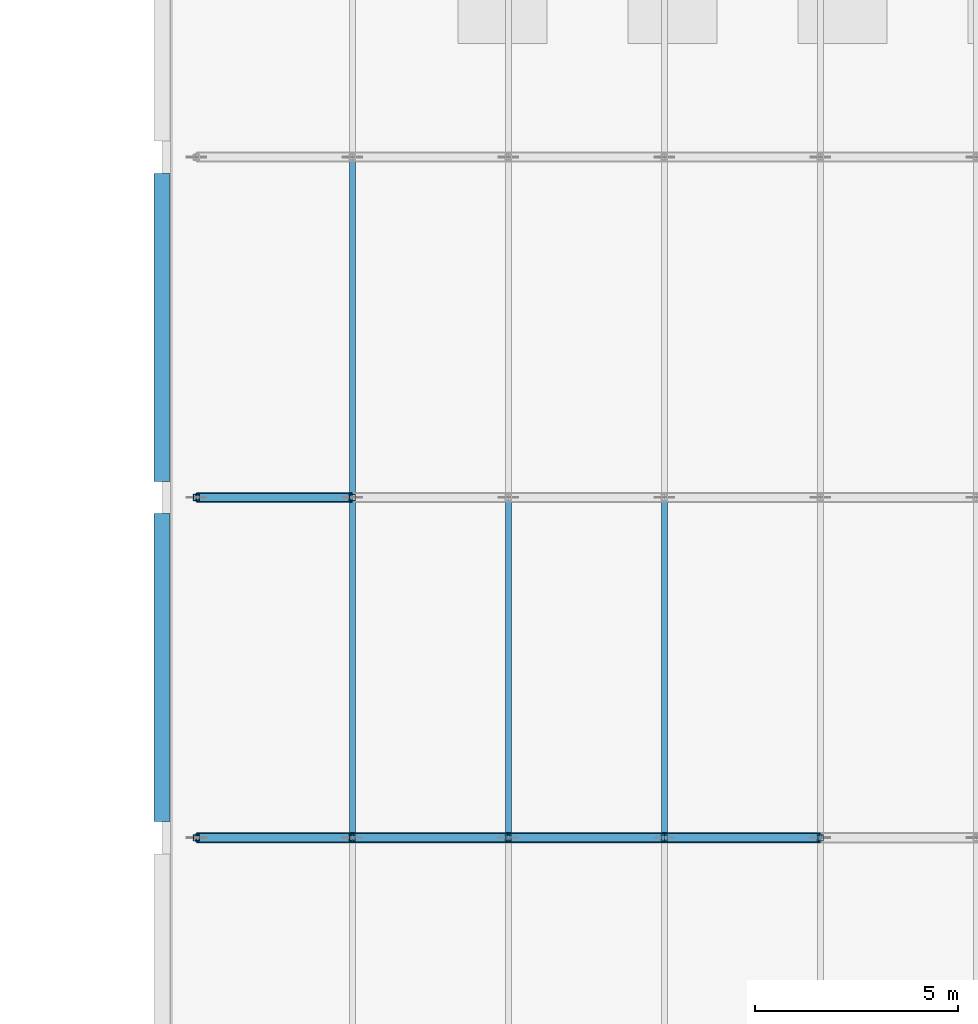
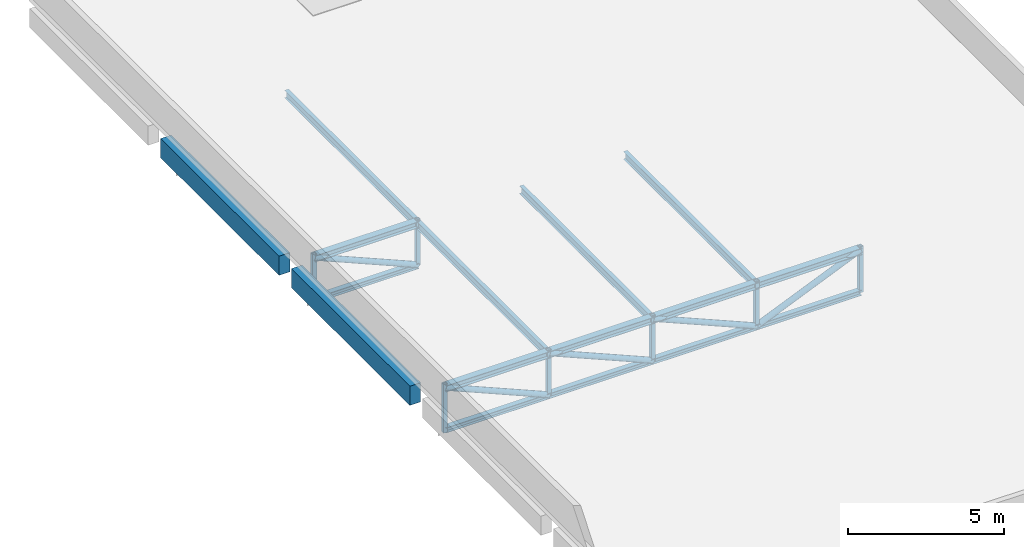
# One storey, part 16 of 38: 26 members, 2 beams.
"""IFC4 building model written with IfcOpenShell, lengths in metres."""

from ifc_helpers import new_model, si_unit, direction, frame, origin, origin_2d, place, context, subcontext, project, spatial, rectangle, hollow_rectangle, hollow_circle, i_section, extrude, material, material_profile, profile_set, type_object, element, save


model = new_model("IFC4")

# Units and contexts
model_context = context("Model", 3, precision=1e-05, world=origin(), true_north=direction((0.0, 1.0)))
body_context = subcontext(model_context, "Body", "Model", "MODEL_VIEW")
ifc_project = project(units=[si_unit("LENGTHUNIT", "METRE"), si_unit("AREAUNIT", "SQUARE_METRE"), si_unit("VOLUMEUNIT", "CUBIC_METRE"), si_unit("PLANEANGLEUNIT", "RADIAN"), si_unit("MASSUNIT", "GRAM", prefix="KILO")], contexts=[model_context])

# Site, building, storey
site_placement = place(None, origin())
site = spatial("IfcSite", under=ifc_project, at=site_placement, CompositionType="ELEMENT")
building_placement = place(site_placement, origin())
building = spatial("IfcBuilding", under=site, at=building_placement, Name="Brinegate Botanical Conservatory", CompositionType="ELEMENT")
storey_placement = place(building_placement, frame((0.0, 0.0, 10.199951171875)))
storey = spatial("IfcBuildingStorey", under=building, at=storey_placement, Name="L03", CompositionType="ELEMENT", Elevation=10.199951171875)

# Beams
ifc_material_1 = material(Name="Concrete C50/60", Category="concrete")
ifc_material_profile_1 = material_profile(ifc_material_1, rectangle(XDim=0.39990234375, YDim=0.75, at=origin_2d()), Name="RC BM 400x750")
ifc_profile_set_1 = profile_set([ifc_material_profile_1], Name="Concrete C50/60")
beam_type = type_object("IfcBeamType", Name="Beam_BM-T1", PredefinedType="BEAM", material=ifc_profile_set_1)
beam_1_placement = place(storey_placement, frame((138.800048828125, 17.199951171875, -0.574951171875), z_axis=(0.0, 1.0, 0.0), x_axis=(-1.0, 0.0, 0.0)))
element("IfcBeam", 1, at=beam_1_placement, inside=storey, type_object=beam_type, Name="Beam BM-T1 L03 18:C-D", PredefinedType="BEAM", context=body_context, shape_type="SweptSolid", body=[
    extrude(rectangle(XDim=0.39990234375, YDim=0.75, at=origin_2d()), origin(), (0.0, 0.0, 1.0), 7.60009765625),
])
beam_2_placement = place(storey_placement, frame((138.800048828125, 25.60009765625, -0.574951171875), z_axis=(0.0, 1.0, 0.0), x_axis=(-1.0, 0.0, 0.0)))
element("IfcBeam", 2, at=beam_2_placement, inside=storey, type_object=beam_type, Name="Beam BM-T1 L03 18:D-E", PredefinedType="BEAM", context=body_context, shape_type="SweptSolid", body=[
    extrude(rectangle(XDim=0.39990234375, YDim=0.75, at=origin_2d()), origin(), (0.0, 0.0, 1.0), 7.599853515625),
])

# Members
ifc_material_2 = material(Name="Structural steel Q355B / S355", Category="steel")
ifc_material_profile_2 = material_profile(ifc_material_2, hollow_circle(Radius=0.109619140625, WallThickness=0.010009765625, at=origin_2d()), Name="CHS 219x10")
ifc_profile_set_2 = profile_set([ifc_material_profile_2], Name="Structural steel Q355B / S355")
member_type_1 = type_object("IfcMemberType", Name="Member_TB-01", PredefinedType="BRACE", material=ifc_profile_set_2)
for number, where, z_axis, x_axis, name in (
    (3, (139.64990234375, 16.800048828125, -0.35986328125), (0.919999828954, 0.0, -0.391918760362), (0.0, 1.0, 0.0), "Auditorium roof truss 2 web diagonal 1"),
    (4, (143.5, 16.800048828125, -0.35986328125), (0.919999828954, 0.0, -0.391918760362), (0.0, 1.0, 0.0), "Auditorium roof truss 2 web diagonal 2"),
):
    element("IfcMember", number, at=place(storey_placement, frame(where, z_axis=z_axis, x_axis=x_axis)), inside=storey, type_object=member_type_1, Name=name, PredefinedType="BRACE", context=body_context, shape_type="SweptSolid", body=[
        extrude(hollow_circle(Radius=0.109619140625, WallThickness=0.010009765625, at=origin_2d()), origin(), (0.0, 0.0, 1.0), 4.184814453125),
    ])
member_1_placement = place(storey_placement, frame((147.35009765625, 16.800048828125, -0.35986328125), z_axis=(0.919990867405, 0.0, -0.39193979626), x_axis=(0.0, 1.0, 0.0)))
element("IfcMember", 5, at=member_1_placement, inside=storey, type_object=member_type_1, Name="Auditorium roof truss 2 web diagonal 3", PredefinedType="BRACE", context=body_context, shape_type="SweptSolid", body=[
    extrude(hollow_circle(Radius=0.109619140625, WallThickness=0.010009765625, at=origin_2d()), origin(), (0.0, 0.0, 1.0), 4.1845703125),
])
for number, where, z_axis, x_axis, name in (
    (6, (151.199951171875, 16.800048828125, -2.0), (0.919999828954, 0.0, 0.391918760362), (0.0, 1.0, 0.0), "Auditorium roof truss 2 web diagonal 4"),
    (7, (139.64990234375, 25.199951171875, -0.35986328125), (0.919999828954, 0.0, -0.391918760362), (0.0, 1.0, 0.0), "Auditorium roof truss 3 web diagonal 1"),
):
    element("IfcMember", number, at=place(storey_placement, frame(where, z_axis=z_axis, x_axis=x_axis)), inside=storey, type_object=member_type_1, Name=name, PredefinedType="BRACE", context=body_context, shape_type="SweptSolid", body=[
        extrude(hollow_circle(Radius=0.109619140625, WallThickness=0.010009765625, at=origin_2d()), origin(), (0.0, 0.0, 1.0), 4.184814453125),
    ])
ifc_material_profile_3 = material_profile(ifc_material_2, i_section(OverallWidth=0.25, OverallDepth=0.25, WebThickness=0.009033203125, FlangeThickness=0.013916015625, at=origin_2d()), Name="HW 250x250x9x14")
ifc_profile_set_3 = profile_set([ifc_material_profile_3], Name="Structural steel Q355B / S355")
member_type_2 = type_object("IfcMemberType", Name="Member_TC-01", PredefinedType="CHORD", material=ifc_profile_set_3)
for number, where, z_axis, x_axis, name in (
    (8, (139.64990234375, 16.800048828125, -0.35986328125), (1.0, 0.0, 0.0), (0.0, 1.0, 0.0), "Auditorium roof truss 2 top chord 1"),
    (9, (143.5, 16.800048828125, -0.35986328125), (1.0, 0.0, 0.0), (0.0, 1.0, 0.0), "Auditorium roof truss 2 top chord 2"),
):
    element("IfcMember", number, at=place(storey_placement, frame(where, z_axis=z_axis, x_axis=x_axis)), inside=storey, type_object=member_type_2, Name=name, PredefinedType="CHORD", context=body_context, shape_type="SweptSolid", body=[
        extrude(i_section(OverallWidth=0.25, OverallDepth=0.25, WebThickness=0.009033203125, FlangeThickness=0.013916015625, at=origin_2d()), origin(), (0.0, 0.0, 1.0), 3.85009765625),
    ])
member_2_placement = place(storey_placement, frame((147.35009765625, 16.800048828125, -0.35986328125), z_axis=(1.0, 0.0, 0.0), x_axis=(0.0, 1.0, 0.0)))
element("IfcMember", 10, at=member_2_placement, inside=storey, type_object=member_type_2, Name="Auditorium roof truss 2 top chord 3", PredefinedType="CHORD", context=body_context, shape_type="SweptSolid", body=[
    extrude(i_section(OverallWidth=0.25, OverallDepth=0.25, WebThickness=0.009033203125, FlangeThickness=0.013916015625, at=origin_2d()), origin(), (0.0, 0.0, 1.0), 3.849853515625),
])
for number, where, z_axis, x_axis, name in (
    (11, (151.199951171875, 16.800048828125, -0.35986328125), (1.0, 0.0, 0.0), (0.0, 1.0, 0.0), "Auditorium roof truss 2 top chord 4"),
    (12, (139.64990234375, 25.199951171875, -0.35986328125), (1.0, 0.0, 0.0), (0.0, 1.0, 0.0), "Auditorium roof truss 3 top chord 1"),
):
    element("IfcMember", number, at=place(storey_placement, frame(where, z_axis=z_axis, x_axis=x_axis)), inside=storey, type_object=member_type_2, Name=name, PredefinedType="CHORD", context=body_context, shape_type="SweptSolid", body=[
        extrude(i_section(OverallWidth=0.25, OverallDepth=0.25, WebThickness=0.009033203125, FlangeThickness=0.013916015625, at=origin_2d()), origin(), (0.0, 0.0, 1.0), 3.85009765625),
    ])
ifc_material_profile_4 = material_profile(ifc_material_2, i_section(OverallWidth=0.199951171875, OverallDepth=0.199951171875, WebThickness=0.008056640625, FlangeThickness=0.011962890625, at=origin_2d()), Name="HW 200x200x8x12")
ifc_profile_set_4 = profile_set([ifc_material_profile_4], Name="Structural steel Q355B / S355")
member_type_3 = type_object("IfcMemberType", Name="Member_TC-02", PredefinedType="CHORD", material=ifc_profile_set_4)
for number, where, z_axis, x_axis, name in (
    (13, (139.64990234375, 16.800048828125, -2.0), (1.0, 0.0, 0.0), (0.0, 1.0, 0.0), "Auditorium roof truss 2 bottom chord 1"),
    (14, (143.5, 16.800048828125, -2.0), (1.0, 0.0, 0.0), (0.0, 1.0, 0.0), "Auditorium roof truss 2 bottom chord 2"),
):
    element("IfcMember", number, at=place(storey_placement, frame(where, z_axis=z_axis, x_axis=x_axis)), inside=storey, type_object=member_type_3, Name=name, PredefinedType="CHORD", context=body_context, shape_type="SweptSolid", body=[
        extrude(i_section(OverallWidth=0.199951171875, OverallDepth=0.199951171875, WebThickness=0.008056640625, FlangeThickness=0.011962890625, at=origin_2d()), origin(), (0.0, 0.0, 1.0), 3.85009765625),
    ])
member_3_placement = place(storey_placement, frame((147.35009765625, 16.800048828125, -2.0), z_axis=(1.0, 0.0, 0.0), x_axis=(0.0, 1.0, 0.0)))
element("IfcMember", 15, at=member_3_placement, inside=storey, type_object=member_type_3, Name="Auditorium roof truss 2 bottom chord 3", PredefinedType="CHORD", context=body_context, shape_type="SweptSolid", body=[
    extrude(i_section(OverallWidth=0.199951171875, OverallDepth=0.199951171875, WebThickness=0.008056640625, FlangeThickness=0.011962890625, at=origin_2d()), origin(), (0.0, 0.0, 1.0), 3.849853515625),
])
for number, where, z_axis, x_axis, name in (
    (16, (151.199951171875, 16.800048828125, -2.0), (1.0, 0.0, 0.0), (0.0, 1.0, 0.0), "Auditorium roof truss 2 bottom chord 4"),
    (17, (139.64990234375, 25.199951171875, -2.0), (1.0, 0.0, 0.0), (0.0, 1.0, 0.0), "Auditorium roof truss 3 bottom chord 1"),
):
    element("IfcMember", number, at=place(storey_placement, frame(where, z_axis=z_axis, x_axis=x_axis)), inside=storey, type_object=member_type_3, Name=name, PredefinedType="CHORD", context=body_context, shape_type="SweptSolid", body=[
        extrude(i_section(OverallWidth=0.199951171875, OverallDepth=0.199951171875, WebThickness=0.008056640625, FlangeThickness=0.011962890625, at=origin_2d()), origin(), (0.0, 0.0, 1.0), 3.85009765625),
    ])
ifc_material_profile_5 = material_profile(ifc_material_2, i_section(OverallWidth=0.14990234375, OverallDepth=0.300048828125, WebThickness=0.006591796875, FlangeThickness=0.009033203125, at=origin_2d()), Name="HN 300x150x6.5x9")
ifc_profile_set_5 = profile_set([ifc_material_profile_5], Name="Structural steel Q355B / S355")
member_type_4 = type_object("IfcMemberType", Name="Member_TP-01", PredefinedType="PURLIN", material=ifc_profile_set_5)
member_4_placement = place(storey_placement, frame((143.5, 16.800048828125, -0.389892578125), z_axis=(0.0, 1.0, 0.0), x_axis=(-1.0, 0.0, 0.0)))
element("IfcMember", 18, at=member_4_placement, inside=storey, type_object=member_type_4, Name="Auditorium roof purlin TP-01 1.2", PredefinedType="PURLIN", context=body_context, shape_type="SweptSolid", body=[
    extrude(i_section(OverallWidth=0.14990234375, OverallDepth=0.300048828125, WebThickness=0.006591796875, FlangeThickness=0.009033203125, at=origin_2d()), origin(), (0.0, 0.0, 1.0), 8.39990234375),
])
member_5_placement = place(storey_placement, frame((143.5, 25.199951171875, -0.389892578125), z_axis=(0.0, 1.0, 0.0), x_axis=(-1.0, 0.0, 0.0)))
element("IfcMember", 19, at=member_5_placement, inside=storey, type_object=member_type_4, Name="Auditorium roof purlin TP-01 1.3", PredefinedType="PURLIN", context=body_context, shape_type="SweptSolid", body=[
    extrude(i_section(OverallWidth=0.14990234375, OverallDepth=0.300048828125, WebThickness=0.006591796875, FlangeThickness=0.009033203125, at=origin_2d()), origin(), (0.0, 0.0, 1.0), 8.400146484375),
])
for number, where, z_axis, x_axis, name in (
    (20, (147.35009765625, 16.800048828125, -0.389892578125), (0.0, 1.0, 0.0), (-1.0, 0.0, 0.0), "Auditorium roof purlin TP-01 2.2"),
    (21, (151.199951171875, 16.800048828125, -0.389892578125), (0.0, 1.0, 0.0), (-1.0, 0.0, 0.0), "Auditorium roof purlin TP-01 3.2"),
):
    element("IfcMember", number, at=place(storey_placement, frame(where, z_axis=z_axis, x_axis=x_axis)), inside=storey, type_object=member_type_4, Name=name, PredefinedType="PURLIN", context=body_context, shape_type="SweptSolid", body=[
        extrude(i_section(OverallWidth=0.14990234375, OverallDepth=0.300048828125, WebThickness=0.006591796875, FlangeThickness=0.009033203125, at=origin_2d()), origin(), (0.0, 0.0, 1.0), 8.39990234375),
    ])
ifc_material_profile_6 = material_profile(ifc_material_2, hollow_rectangle(XDim=0.14990234375, YDim=0.14990234375, WallThickness=0.008056640625, at=origin_2d()), Name="SHS 150x150x8")
ifc_profile_set_6 = profile_set([ifc_material_profile_6], Name="Structural steel Q355B / S355")
member_type_5 = type_object("IfcMemberType", Name="Member_TS-01", PredefinedType="STRUT", material=ifc_profile_set_6)
member_6_placement = place(storey_placement, frame((139.64990234375, 16.800048828125, -2.099853515625), z_axis=(0.0, 0.0, 1.0), x_axis=(1.0, 0.0, 0.0)))
element("IfcMember", 22, at=member_6_placement, inside=storey, type_object=member_type_5, Name="Auditorium roof truss 2 vertical strut 1", PredefinedType="STRUT", context=body_context, shape_type="SweptSolid", body=[
    extrude(hollow_rectangle(XDim=0.14990234375, YDim=0.14990234375, WallThickness=0.008056640625, at=origin_2d()), origin(), (0.0, 0.0, 1.0), 1.89990234375),
])
for number, where, z_axis, x_axis, name in (
    (23, (143.5, 16.800048828125, -2.0), (0.0, 0.0, 1.0), (1.0, 0.0, 0.0), "Auditorium roof truss 2 vertical strut 2"),
    (24, (147.35009765625, 16.800048828125, -2.0), (0.0, 0.0, 1.0), (1.0, 0.0, 0.0), "Auditorium roof truss 2 vertical strut 3"),
    (25, (151.199951171875, 16.800048828125, -2.0), (0.0, 0.0, 1.0), (1.0, 0.0, 0.0), "Auditorium roof truss 2 vertical strut 4"),
    (26, (155.050048828125, 16.800048828125, -2.0), (0.0, 0.0, 1.0), (1.0, 0.0, 0.0), "Auditorium roof truss 2 vertical strut 5"),
):
    element("IfcMember", number, at=place(storey_placement, frame(where, z_axis=z_axis, x_axis=x_axis)), inside=storey, type_object=member_type_5, Name=name, PredefinedType="STRUT", context=body_context, shape_type="SweptSolid", body=[
        extrude(hollow_rectangle(XDim=0.14990234375, YDim=0.14990234375, WallThickness=0.008056640625, at=origin_2d()), origin(), (0.0, 0.0, 1.0), 1.800048828125),
    ])
member_7_placement = place(storey_placement, frame((139.64990234375, 25.199951171875, -2.099853515625), z_axis=(0.0, 0.0, 1.0), x_axis=(1.0, 0.0, 0.0)))
element("IfcMember", 27, at=member_7_placement, inside=storey, type_object=member_type_5, Name="Auditorium roof truss 3 vertical strut 1", PredefinedType="STRUT", context=body_context, shape_type="SweptSolid", body=[
    extrude(hollow_rectangle(XDim=0.14990234375, YDim=0.14990234375, WallThickness=0.008056640625, at=origin_2d()), origin(), (0.0, 0.0, 1.0), 1.89990234375),
])
member_8_placement = place(storey_placement, frame((143.5, 25.199951171875, -2.0), z_axis=(0.0, 0.0, 1.0), x_axis=(1.0, 0.0, 0.0)))
element("IfcMember", 28, at=member_8_placement, inside=storey, type_object=member_type_5, Name="Auditorium roof truss 3 vertical strut 2", PredefinedType="STRUT", context=body_context, shape_type="SweptSolid", body=[
    extrude(hollow_rectangle(XDim=0.14990234375, YDim=0.14990234375, WallThickness=0.008056640625, at=origin_2d()), origin(), (0.0, 0.0, 1.0), 1.800048828125),
])

save(model, "model.ifc")
